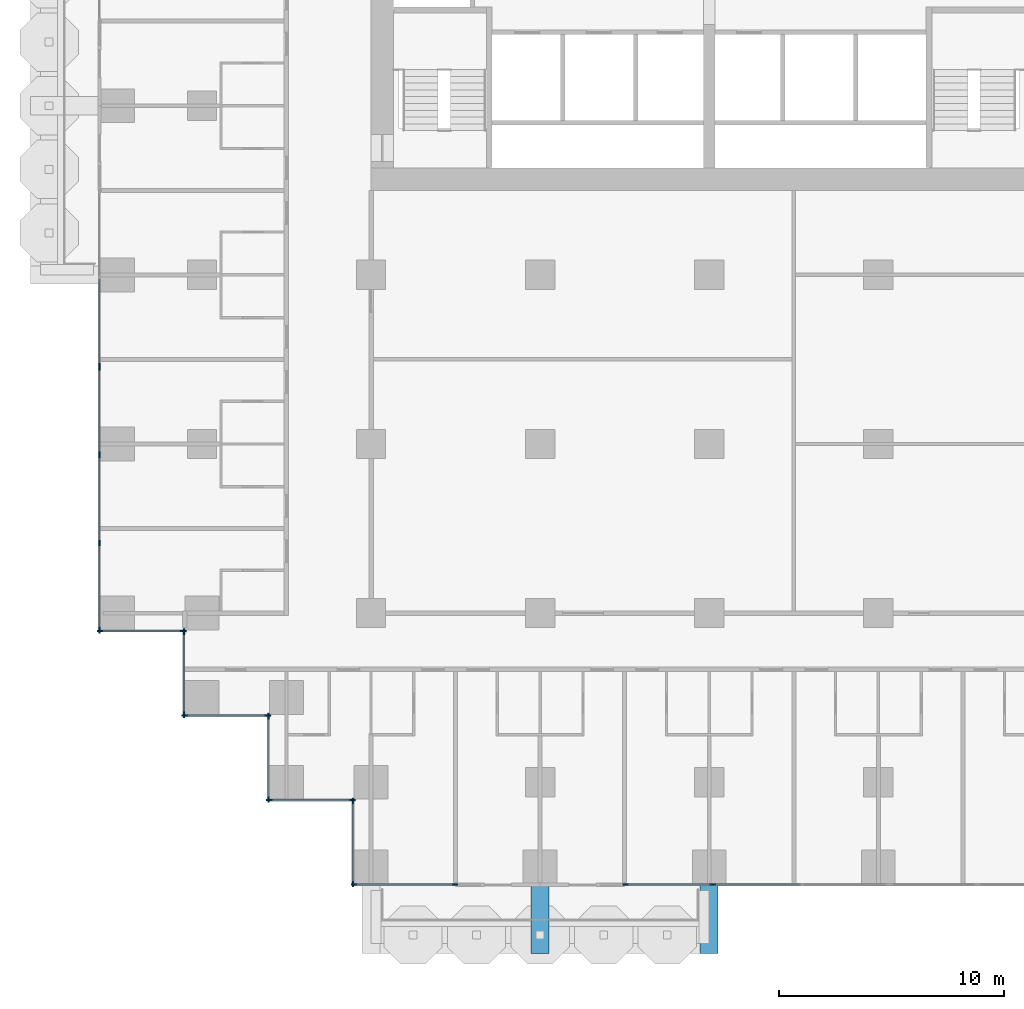
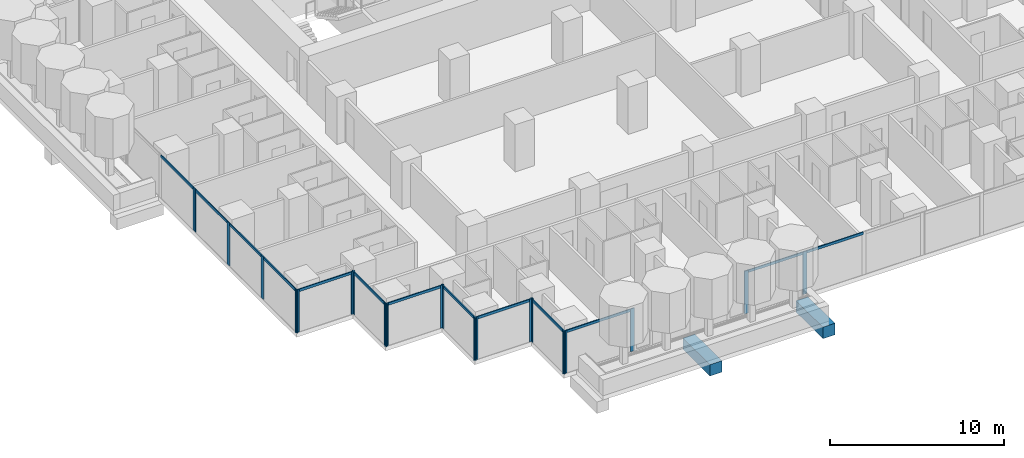
# One storey, part 2 of 19: 34 members, 2 beams, 10 elements without a shape of their own.
"""IFC4 building model written with IfcOpenShell, lengths in metres."""

from ifc_helpers import new_model, si_unit, direction, frame, origin, origin_2d, place, context, subcontext, project, spatial, rectangle, extrude, material, material_profile, profile_set, type_object, element, aggregate, save


model = new_model("IFC4")

# Units and contexts
model_context = context("Model", 3, precision=1e-05, world=origin(), true_north=direction((0.0, 1.0)))
body_context = subcontext(model_context, "Body", "Model", "MODEL_VIEW")
ifc_project = project(units=[si_unit("LENGTHUNIT", "METRE"), si_unit("AREAUNIT", "SQUARE_METRE"), si_unit("VOLUMEUNIT", "CUBIC_METRE"), si_unit("PLANEANGLEUNIT", "RADIAN"), si_unit("MASSUNIT", "GRAM", prefix="KILO")], contexts=[model_context])

# Site, building, storey
site_placement = place(None, origin())
site = spatial("IfcSite", under=ifc_project, at=site_placement, CompositionType="ELEMENT")
building_placement = place(site_placement, origin())
building = spatial("IfcBuilding", under=site, at=building_placement, Name="Pilkhan Gate Tower", CompositionType="ELEMENT")
storey_placement = place(building_placement, frame((0.0, 0.0, 62.60009765625)))
storey = spatial("IfcBuildingStorey", under=building, at=storey_placement, Name="L13", CompositionType="ELEMENT", Elevation=62.60009765625)

# Beams
ifc_material_1 = material(Name="Concrete C50/60", Category="concrete")
ifc_material_profile_1 = material_profile(ifc_material_1, rectangle(XDim=0.800048828125, YDim=0.800048828125, at=origin_2d()), Name="RC 800x800")
ifc_profile_set_1 = profile_set([ifc_material_profile_1], Name="Concrete C50/60")
beam_type = type_object("IfcBeamType", Name="Cantilever beam CB2 RC 800x800 C50/60", PredefinedType="BEAM", material=ifc_profile_set_1)
for number, where, z_axis, x_axis, name in (
    (1, (67.5, 40.5, -0.7001953125), (0.0, -1.0, 0.0), (1.0, 0.0, 0.0), "Balcony beam S.2 L13"),
    (2, (75.0, 40.5, -0.7001953125), (0.0, -1.0, 0.0), (1.0, 0.0, 0.0), "Balcony beam S.3 L13"),
):
    element("IfcBeam", number, at=place(storey_placement, frame(where, z_axis=z_axis, x_axis=x_axis)), inside=storey, type_object=beam_type, Name=name, PredefinedType="BEAM", context=body_context, shape_type="SweptSolid", body=[
        extrude(rectangle(XDim=0.800048828125, YDim=0.800048828125, at=origin_2d()), origin(), (0.0, 0.0, 1.0), 3.10009765625),
    ])

# Curtain wall, members
ifc_material_2 = material(Name="Pale anodised aluminium, clear low-iron double glazing", Category="aluminium")
curtain_wall_type = type_object("IfcCurtainWallType", Name="Hotel unitised curtain wall CW-H", PredefinedType="USERDEFINED", material=ifc_material_2)
curtain_wall_1_placement = place(storey_placement, origin())
curtain_wall_1 = element("IfcCurtainWall", 3, at=curtain_wall_1_placement, inside=storey, type_object=curtain_wall_type, Name="Hotel unitised curtain wall CW-H L13 W", ObjectType="UNITISED CURTAIN WALL", PredefinedType="USERDEFINED")
ifc_material_3 = material(Name="Pale anodised aluminium", Category="aluminium")
ifc_material_profile_2 = material_profile(ifc_material_3, rectangle(XDim=0.06494140625, YDim=0.25, at=origin_2d()), Name="Mullion 250x65")
ifc_profile_set_2 = profile_set([ifc_material_profile_2], Name="Pale anodised aluminium")
member_type_1 = type_object("IfcMemberType", Name="Mullion CW-H 250x65", PredefinedType="MULLION", material=ifc_profile_set_2)
member_1_placement = place(storey_placement, frame((47.955078125, 51.737548828125, 0.0), z_axis=(0.0, 0.0, 1.0), x_axis=(-1.0, 0.0, 0.0)))
member_1 = element("IfcMember", 4, at=member_1_placement, type_object=member_type_1, Name="CW-H mullion 1", PredefinedType="MULLION", context=body_context, shape_type="SweptSolid", body=[
    extrude(rectangle(XDim=0.06494140625, YDim=0.25, at=origin_2d()), origin(), (0.0, 0.0, 1.0), 3.0),
])
member_2_placement = place(storey_placement, frame((47.955078125, 55.614013671875, 0.0), z_axis=(0.0, 0.0, 1.0), x_axis=(-1.0, 0.0, 0.0)))
member_2 = element("IfcMember", 5, at=member_2_placement, type_object=member_type_1, Name="CW-H mullion 2", PredefinedType="MULLION", context=body_context, shape_type="SweptSolid", body=[
    extrude(rectangle(XDim=0.06494140625, YDim=0.25, at=origin_2d()), origin(), (0.0, 0.0, 1.0), 3.0),
])
member_3_placement = place(storey_placement, frame((47.955078125, 59.52294921875, 0.0), z_axis=(0.0, 0.0, 1.0), x_axis=(-1.0, 0.0, 0.0)))
member_3 = element("IfcMember", 6, at=member_3_placement, type_object=member_type_1, Name="CW-H mullion 3", PredefinedType="MULLION", context=body_context, shape_type="SweptSolid", body=[
    extrude(rectangle(XDim=0.06494140625, YDim=0.25, at=origin_2d()), origin(), (0.0, 0.0, 1.0), 3.0),
])
member_4_placement = place(storey_placement, frame((47.955078125, 63.3994140625, 0.0), z_axis=(0.0, 0.0, 1.0), x_axis=(-1.0, 0.0, 0.0)))
member_4 = element("IfcMember", 7, at=member_4_placement, type_object=member_type_1, Name="CW-H mullion 4", PredefinedType="MULLION", context=body_context, shape_type="SweptSolid", body=[
    extrude(rectangle(XDim=0.06494140625, YDim=0.25, at=origin_2d()), origin(), (0.0, 0.0, 1.0), 3.0),
])

# Curtain wall, member
curtain_wall_2_placement = place(storey_placement, origin())
curtain_wall_2 = element("IfcCurtainWall", 8, at=curtain_wall_2_placement, inside=storey, type_object=curtain_wall_type, Name="Hotel unitised curtain wall CW-H L13 W", ObjectType="UNITISED CURTAIN WALL", PredefinedType="USERDEFINED")
member_5_placement = place(storey_placement, frame((47.955078125, 63.464599609375, 0.0), z_axis=(0.0, 0.0, 1.0), x_axis=(-1.0, 0.0, 0.0)))
member_5 = element("IfcMember", 9, at=member_5_placement, type_object=member_type_1, Name="CW-H mullion 1", PredefinedType="MULLION", context=body_context, shape_type="SweptSolid", body=[
    extrude(rectangle(XDim=0.06494140625, YDim=0.25, at=origin_2d()), origin(), (0.0, 0.0, 1.0), 3.0),
])

# Curtain wall, members
curtain_wall_3_placement = place(storey_placement, origin())
curtain_wall_3 = element("IfcCurtainWall", 10, at=curtain_wall_3_placement, inside=storey, type_object=curtain_wall_type, Name="Hotel unitised curtain wall CW-H L13 S", ObjectType="UNITISED CURTAIN WALL", PredefinedType="USERDEFINED")
member_6_placement = place(storey_placement, frame((47.987548828125, 51.705078125, 0.0), z_axis=(0.0, 0.0, 1.0), x_axis=(0.0, 1.0, 0.0)))
member_6 = element("IfcMember", 11, at=member_6_placement, type_object=member_type_1, Name="CW-H mullion 1", PredefinedType="MULLION", context=body_context, shape_type="SweptSolid", body=[
    extrude(rectangle(XDim=0.06494140625, YDim=0.25, at=origin_2d()), origin(), (0.0, 0.0, 1.0), 3.0),
])
member_7_placement = place(storey_placement, frame((51.672607421875, 51.705078125, 0.0), z_axis=(0.0, 0.0, 1.0), x_axis=(0.0, 1.0, 0.0)))
member_7 = element("IfcMember", 12, at=member_7_placement, type_object=member_type_1, Name="CW-H mullion 2", PredefinedType="MULLION", context=body_context, shape_type="SweptSolid", body=[
    extrude(rectangle(XDim=0.06494140625, YDim=0.25, at=origin_2d()), origin(), (0.0, 0.0, 1.0), 3.0),
])

curtain_wall_4_placement = place(storey_placement, origin())
curtain_wall_4 = element("IfcCurtainWall", 13, at=curtain_wall_4_placement, inside=storey, type_object=curtain_wall_type, Name="Hotel unitised curtain wall CW-H L13 W", ObjectType="UNITISED CURTAIN WALL", PredefinedType="USERDEFINED")
member_8_placement = place(storey_placement, frame((51.705078125, 47.987548828125, 0.0), z_axis=(0.0, 0.0, 1.0), x_axis=(-1.0, 0.0, 0.0)))
member_8 = element("IfcMember", 14, at=member_8_placement, type_object=member_type_1, Name="CW-H mullion 1", PredefinedType="MULLION", context=body_context, shape_type="SweptSolid", body=[
    extrude(rectangle(XDim=0.06494140625, YDim=0.25, at=origin_2d()), origin(), (0.0, 0.0, 1.0), 3.0),
])
member_9_placement = place(storey_placement, frame((51.705078125, 51.672607421875, 0.0), z_axis=(0.0, 0.0, 1.0), x_axis=(-1.0, 0.0, 0.0)))
member_9 = element("IfcMember", 15, at=member_9_placement, type_object=member_type_1, Name="CW-H mullion 2", PredefinedType="MULLION", context=body_context, shape_type="SweptSolid", body=[
    extrude(rectangle(XDim=0.06494140625, YDim=0.25, at=origin_2d()), origin(), (0.0, 0.0, 1.0), 3.0),
])

curtain_wall_5_placement = place(storey_placement, origin())
curtain_wall_5 = element("IfcCurtainWall", 16, at=curtain_wall_5_placement, inside=storey, type_object=curtain_wall_type, Name="Hotel unitised curtain wall CW-H L13 S", ObjectType="UNITISED CURTAIN WALL", PredefinedType="USERDEFINED")
member_10_placement = place(storey_placement, frame((51.737548828125, 47.955078125, 0.0), z_axis=(0.0, 0.0, 1.0), x_axis=(0.0, 1.0, 0.0)))
member_10 = element("IfcMember", 17, at=member_10_placement, type_object=member_type_1, Name="CW-H mullion 1", PredefinedType="MULLION", context=body_context, shape_type="SweptSolid", body=[
    extrude(rectangle(XDim=0.06494140625, YDim=0.25, at=origin_2d()), origin(), (0.0, 0.0, 1.0), 3.0),
])
member_11_placement = place(storey_placement, frame((55.422607421875, 47.955078125, 0.0), z_axis=(0.0, 0.0, 1.0), x_axis=(0.0, 1.0, 0.0)))
member_11 = element("IfcMember", 18, at=member_11_placement, type_object=member_type_1, Name="CW-H mullion 2", PredefinedType="MULLION", context=body_context, shape_type="SweptSolid", body=[
    extrude(rectangle(XDim=0.06494140625, YDim=0.25, at=origin_2d()), origin(), (0.0, 0.0, 1.0), 3.0),
])

curtain_wall_6_placement = place(storey_placement, origin())
curtain_wall_6 = element("IfcCurtainWall", 19, at=curtain_wall_6_placement, inside=storey, type_object=curtain_wall_type, Name="Hotel unitised curtain wall CW-H L13 W", ObjectType="UNITISED CURTAIN WALL", PredefinedType="USERDEFINED")
member_12_placement = place(storey_placement, frame((55.455078125, 44.237548828125, 0.0), z_axis=(0.0, 0.0, 1.0), x_axis=(-1.0, 0.0, 0.0)))
member_12 = element("IfcMember", 20, at=member_12_placement, type_object=member_type_1, Name="CW-H mullion 1", PredefinedType="MULLION", context=body_context, shape_type="SweptSolid", body=[
    extrude(rectangle(XDim=0.06494140625, YDim=0.25, at=origin_2d()), origin(), (0.0, 0.0, 1.0), 3.0),
])
member_13_placement = place(storey_placement, frame((55.455078125, 47.922607421875, 0.0), z_axis=(0.0, 0.0, 1.0), x_axis=(-1.0, 0.0, 0.0)))
member_13 = element("IfcMember", 21, at=member_13_placement, type_object=member_type_1, Name="CW-H mullion 2", PredefinedType="MULLION", context=body_context, shape_type="SweptSolid", body=[
    extrude(rectangle(XDim=0.06494140625, YDim=0.25, at=origin_2d()), origin(), (0.0, 0.0, 1.0), 3.0),
])

curtain_wall_7_placement = place(storey_placement, origin())
curtain_wall_7 = element("IfcCurtainWall", 22, at=curtain_wall_7_placement, inside=storey, type_object=curtain_wall_type, Name="Hotel unitised curtain wall CW-H L13 S", ObjectType="UNITISED CURTAIN WALL", PredefinedType="USERDEFINED")
member_14_placement = place(storey_placement, frame((55.487548828125, 44.205078125, 0.0), z_axis=(0.0, 0.0, 1.0), x_axis=(0.0, 1.0, 0.0)))
member_14 = element("IfcMember", 23, at=member_14_placement, type_object=member_type_1, Name="CW-H mullion 1", PredefinedType="MULLION", context=body_context, shape_type="SweptSolid", body=[
    extrude(rectangle(XDim=0.06494140625, YDim=0.25, at=origin_2d()), origin(), (0.0, 0.0, 1.0), 3.0),
])
member_15_placement = place(storey_placement, frame((59.172607421875, 44.205078125, 0.0), z_axis=(0.0, 0.0, 1.0), x_axis=(0.0, 1.0, 0.0)))
member_15 = element("IfcMember", 24, at=member_15_placement, type_object=member_type_1, Name="CW-H mullion 2", PredefinedType="MULLION", context=body_context, shape_type="SweptSolid", body=[
    extrude(rectangle(XDim=0.06494140625, YDim=0.25, at=origin_2d()), origin(), (0.0, 0.0, 1.0), 3.0),
])

curtain_wall_8_placement = place(storey_placement, origin())
curtain_wall_8 = element("IfcCurtainWall", 25, at=curtain_wall_8_placement, inside=storey, type_object=curtain_wall_type, Name="Hotel unitised curtain wall CW-H L13 W", ObjectType="UNITISED CURTAIN WALL", PredefinedType="USERDEFINED")
member_16_placement = place(storey_placement, frame((59.205078125, 40.487548828125, 0.0), z_axis=(0.0, 0.0, 1.0), x_axis=(-1.0, 0.0, 0.0)))
member_16 = element("IfcMember", 26, at=member_16_placement, type_object=member_type_1, Name="CW-H mullion 1", PredefinedType="MULLION", context=body_context, shape_type="SweptSolid", body=[
    extrude(rectangle(XDim=0.06494140625, YDim=0.25, at=origin_2d()), origin(), (0.0, 0.0, 1.0), 3.0),
])
member_17_placement = place(storey_placement, frame((59.205078125, 44.172607421875, 0.0), z_axis=(0.0, 0.0, 1.0), x_axis=(-1.0, 0.0, 0.0)))
member_17 = element("IfcMember", 27, at=member_17_placement, type_object=member_type_1, Name="CW-H mullion 2", PredefinedType="MULLION", context=body_context, shape_type="SweptSolid", body=[
    extrude(rectangle(XDim=0.06494140625, YDim=0.25, at=origin_2d()), origin(), (0.0, 0.0, 1.0), 3.0),
])

curtain_wall_9_placement = place(storey_placement, origin())
curtain_wall_9 = element("IfcCurtainWall", 28, at=curtain_wall_9_placement, inside=storey, type_object=curtain_wall_type, Name="Hotel unitised curtain wall CW-H L13 S", ObjectType="UNITISED CURTAIN WALL", PredefinedType="USERDEFINED")
member_18_placement = place(storey_placement, frame((59.237548828125, 40.455078125, 0.0), z_axis=(0.0, 0.0, 1.0), x_axis=(0.0, 1.0, 0.0)))
member_18 = element("IfcMember", 29, at=member_18_placement, type_object=member_type_1, Name="CW-H mullion 1", PredefinedType="MULLION", context=body_context, shape_type="SweptSolid", body=[
    extrude(rectangle(XDim=0.06494140625, YDim=0.25, at=origin_2d()), origin(), (0.0, 0.0, 1.0), 3.0),
])
member_19_placement = place(storey_placement, frame((63.717529296875, 40.455078125, 0.0), z_axis=(0.0, 0.0, 1.0), x_axis=(0.0, 1.0, 0.0)))
member_19 = element("IfcMember", 30, at=member_19_placement, type_object=member_type_1, Name="CW-H mullion 2", PredefinedType="MULLION", context=body_context, shape_type="SweptSolid", body=[
    extrude(rectangle(XDim=0.06494140625, YDim=0.25, at=origin_2d()), origin(), (0.0, 0.0, 1.0), 3.0),
])

curtain_wall_10_placement = place(storey_placement, origin())
curtain_wall_10 = element("IfcCurtainWall", 31, at=curtain_wall_10_placement, inside=storey, type_object=curtain_wall_type, Name="Hotel unitised curtain wall CW-H L13 S", ObjectType="UNITISED CURTAIN WALL", PredefinedType="USERDEFINED")
member_20_placement = place(storey_placement, frame((71.282470703125, 40.455078125, 0.0), z_axis=(0.0, 0.0, 1.0), x_axis=(0.0, 1.0, 0.0)))
member_20 = element("IfcMember", 32, at=member_20_placement, type_object=member_type_1, Name="CW-H mullion 1", PredefinedType="MULLION", context=body_context, shape_type="SweptSolid", body=[
    extrude(rectangle(XDim=0.06494140625, YDim=0.25, at=origin_2d()), origin(), (0.0, 0.0, 1.0), 3.0),
])
member_21_placement = place(storey_placement, frame((75.158935546875, 40.455078125, 0.0), z_axis=(0.0, 0.0, 1.0), x_axis=(0.0, 1.0, 0.0)))
member_21 = element("IfcMember", 33, at=member_21_placement, type_object=member_type_1, Name="CW-H mullion 2", PredefinedType="MULLION", context=body_context, shape_type="SweptSolid", body=[
    extrude(rectangle(XDim=0.06494140625, YDim=0.25, at=origin_2d()), origin(), (0.0, 0.0, 1.0), 3.0),
])

# Member
ifc_material_profile_3 = material_profile(ifc_material_3, rectangle(XDim=0.06494140625, YDim=0.179931640625, at=origin_2d()), Name="Transom 180x65")
ifc_profile_set_3 = profile_set([ifc_material_profile_3], Name="Pale anodised aluminium")
member_type_2 = type_object("IfcMemberType", Name="Transom CW-H 180x65", PredefinedType="USERDEFINED", material=ifc_profile_set_3)
member_22_placement = place(storey_placement, frame((47.955078125, 51.77001953125, 2.909912109375), z_axis=(0.0, 1.0, 0.0), x_axis=(-1.0, 0.0, 0.0)))
member_22 = element("IfcMember", 34, at=member_22_placement, type_object=member_type_2, Name="CW-H transom 1", ObjectType="TRANSOM", PredefinedType="USERDEFINED", context=body_context, shape_type="SweptSolid", body=[
    extrude(rectangle(XDim=0.06494140625, YDim=0.179931640625, at=origin_2d()), origin(), (0.0, 0.0, 1.0), 3.8115234375),
])

member_23_placement = place(storey_placement, frame((47.955078125, 55.646484375, 2.909912109375), z_axis=(0.0, 1.0, 0.0), x_axis=(-1.0, 0.0, 0.0)))
member_23 = element("IfcMember", 35, at=member_23_placement, type_object=member_type_2, Name="CW-H transom 2", ObjectType="TRANSOM", PredefinedType="USERDEFINED", context=body_context, shape_type="SweptSolid", body=[
    extrude(rectangle(XDim=0.06494140625, YDim=0.179931640625, at=origin_2d()), origin(), (0.0, 0.0, 1.0), 3.843994140625),
])

member_24_placement = place(storey_placement, frame((47.955078125, 59.555419921875, 2.909912109375), z_axis=(0.0, 1.0, 0.0), x_axis=(-1.0, 0.0, 0.0)))
member_24 = element("IfcMember", 36, at=member_24_placement, type_object=member_type_2, Name="CW-H transom 3", ObjectType="TRANSOM", PredefinedType="USERDEFINED", context=body_context, shape_type="SweptSolid", body=[
    extrude(rectangle(XDim=0.06494140625, YDim=0.179931640625, at=origin_2d()), origin(), (0.0, 0.0, 1.0), 3.8115234375),
])

aggregate(curtain_wall_1, [member_1, member_2, member_3, member_4, member_22, member_23, member_24])

member_25_placement = place(storey_placement, frame((47.955078125, 63.4970703125, 2.909912109375), z_axis=(0.0, 1.0, 0.0), x_axis=(-1.0, 0.0, 0.0)))
member_25 = element("IfcMember", 37, at=member_25_placement, type_object=member_type_2, Name="CW-H transom 1", ObjectType="TRANSOM", PredefinedType="USERDEFINED", context=body_context, shape_type="SweptSolid", body=[
    extrude(rectangle(XDim=0.06494140625, YDim=0.179931640625, at=origin_2d()), origin(), (0.0, 0.0, 1.0), 3.8115234375),
])

aggregate(curtain_wall_2, [member_5, member_25])

member_26_placement = place(storey_placement, frame((48.02001953125, 51.705078125, 2.909912109375), z_axis=(1.0, 0.0, 0.0), x_axis=(0.0, 1.0, 0.0)))
member_26 = element("IfcMember", 38, at=member_26_placement, type_object=member_type_2, Name="CW-H transom 1", ObjectType="TRANSOM", PredefinedType="USERDEFINED", context=body_context, shape_type="SweptSolid", body=[
    extrude(rectangle(XDim=0.06494140625, YDim=0.179931640625, at=origin_2d()), origin(), (0.0, 0.0, 1.0), 3.619873046875),
])

aggregate(curtain_wall_3, [member_6, member_7, member_26])

member_27_placement = place(storey_placement, frame((51.705078125, 48.02001953125, 2.909912109375), z_axis=(0.0, 1.0, 0.0), x_axis=(-1.0, 0.0, 0.0)))
member_27 = element("IfcMember", 39, at=member_27_placement, type_object=member_type_2, Name="CW-H transom 1", ObjectType="TRANSOM", PredefinedType="USERDEFINED", context=body_context, shape_type="SweptSolid", body=[
    extrude(rectangle(XDim=0.06494140625, YDim=0.179931640625, at=origin_2d()), origin(), (0.0, 0.0, 1.0), 3.619873046875),
])

aggregate(curtain_wall_4, [member_8, member_9, member_27])

member_28_placement = place(storey_placement, frame((51.77001953125, 47.955078125, 2.909912109375), z_axis=(1.0, 0.0, 0.0), x_axis=(0.0, 1.0, 0.0)))
member_28 = element("IfcMember", 40, at=member_28_placement, type_object=member_type_2, Name="CW-H transom 1", ObjectType="TRANSOM", PredefinedType="USERDEFINED", context=body_context, shape_type="SweptSolid", body=[
    extrude(rectangle(XDim=0.06494140625, YDim=0.179931640625, at=origin_2d()), origin(), (0.0, 0.0, 1.0), 3.619873046875),
])

aggregate(curtain_wall_5, [member_10, member_11, member_28])

member_29_placement = place(storey_placement, frame((55.455078125, 44.27001953125, 2.909912109375), z_axis=(0.0, 1.0, 0.0), x_axis=(-1.0, 0.0, 0.0)))
member_29 = element("IfcMember", 41, at=member_29_placement, type_object=member_type_2, Name="CW-H transom 1", ObjectType="TRANSOM", PredefinedType="USERDEFINED", context=body_context, shape_type="SweptSolid", body=[
    extrude(rectangle(XDim=0.06494140625, YDim=0.179931640625, at=origin_2d()), origin(), (0.0, 0.0, 1.0), 3.619873046875),
])

aggregate(curtain_wall_6, [member_12, member_13, member_29])

member_30_placement = place(storey_placement, frame((55.52001953125, 44.205078125, 2.909912109375), z_axis=(1.0, 0.0, 0.0), x_axis=(0.0, 1.0, 0.0)))
member_30 = element("IfcMember", 42, at=member_30_placement, type_object=member_type_2, Name="CW-H transom 1", ObjectType="TRANSOM", PredefinedType="USERDEFINED", context=body_context, shape_type="SweptSolid", body=[
    extrude(rectangle(XDim=0.06494140625, YDim=0.179931640625, at=origin_2d()), origin(), (0.0, 0.0, 1.0), 3.619873046875),
])

aggregate(curtain_wall_7, [member_14, member_15, member_30])

member_31_placement = place(storey_placement, frame((59.205078125, 40.52001953125, 2.909912109375), z_axis=(0.0, 1.0, 0.0), x_axis=(-1.0, 0.0, 0.0)))
member_31 = element("IfcMember", 43, at=member_31_placement, type_object=member_type_2, Name="CW-H transom 1", ObjectType="TRANSOM", PredefinedType="USERDEFINED", context=body_context, shape_type="SweptSolid", body=[
    extrude(rectangle(XDim=0.06494140625, YDim=0.179931640625, at=origin_2d()), origin(), (0.0, 0.0, 1.0), 3.619873046875),
])

aggregate(curtain_wall_8, [member_16, member_17, member_31])

member_32_placement = place(storey_placement, frame((59.27001953125, 40.455078125, 2.909912109375), z_axis=(1.0, 0.0, 0.0), x_axis=(0.0, 1.0, 0.0)))
member_32 = element("IfcMember", 44, at=member_32_placement, type_object=member_type_2, Name="CW-H transom 1", ObjectType="TRANSOM", PredefinedType="USERDEFINED", context=body_context, shape_type="SweptSolid", body=[
    extrude(rectangle(XDim=0.06494140625, YDim=0.179931640625, at=origin_2d()), origin(), (0.0, 0.0, 1.0), 4.4150390625),
])

aggregate(curtain_wall_9, [member_18, member_19, member_32])

member_33_placement = place(storey_placement, frame((71.31494140625, 40.455078125, 2.909912109375), z_axis=(1.0, 0.0, 0.0), x_axis=(0.0, 1.0, 0.0)))
member_33 = element("IfcMember", 45, at=member_33_placement, type_object=member_type_2, Name="CW-H transom 1", ObjectType="TRANSOM", PredefinedType="USERDEFINED", context=body_context, shape_type="SweptSolid", body=[
    extrude(rectangle(XDim=0.06494140625, YDim=0.179931640625, at=origin_2d()), origin(), (0.0, 0.0, 1.0), 3.8115234375),
])

member_34_placement = place(storey_placement, frame((75.19140625, 40.455078125, 2.909912109375), z_axis=(1.0, 0.0, 0.0), x_axis=(0.0, 1.0, 0.0)))
member_34 = element("IfcMember", 46, at=member_34_placement, type_object=member_type_2, Name="CW-H transom 2", ObjectType="TRANSOM", PredefinedType="USERDEFINED", context=body_context, shape_type="SweptSolid", body=[
    extrude(rectangle(XDim=0.06494140625, YDim=0.179931640625, at=origin_2d()), origin(), (0.0, 0.0, 1.0), 3.843994140625),
])

aggregate(curtain_wall_10, [member_20, member_21, member_33, member_34])

save(model, "model.ifc")
